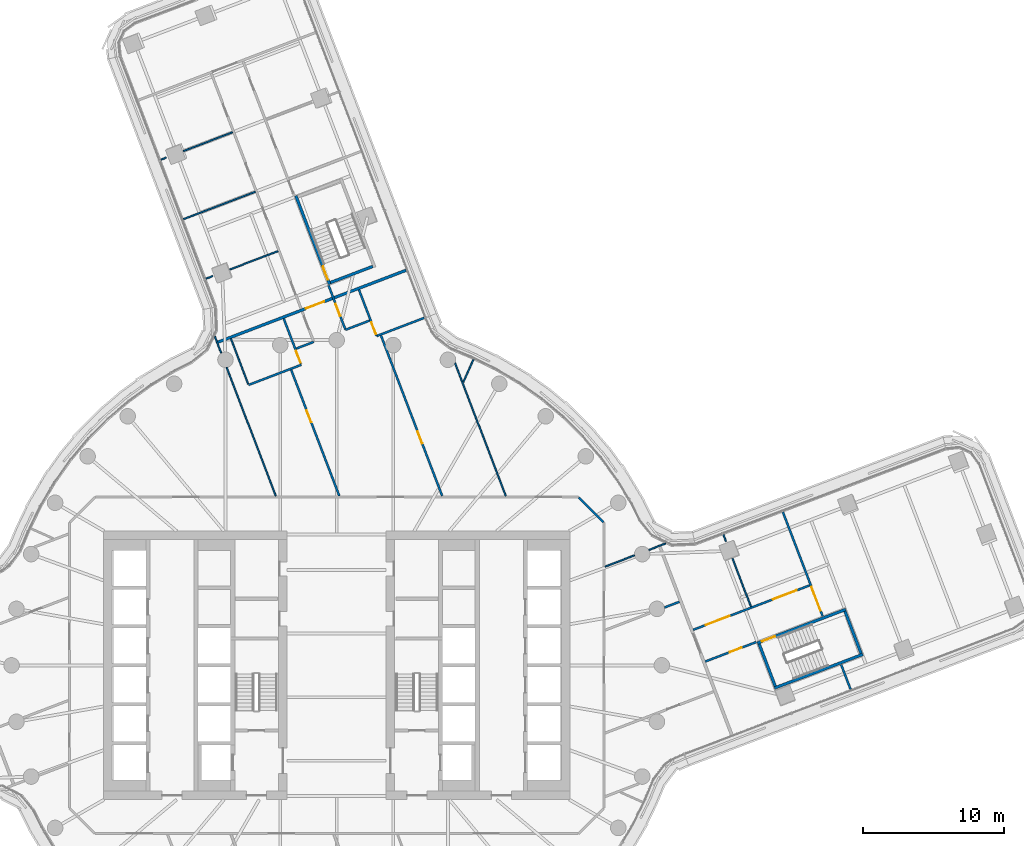
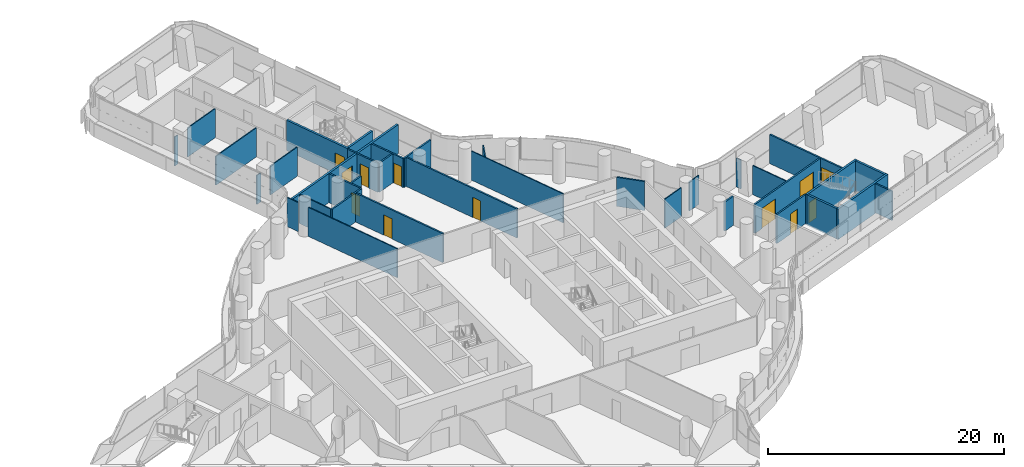
# One storey, part 23 of 32: 36 walls, 12 doors, 12 openings.
"""IFC4 building model written with IfcOpenShell, lengths in metres."""

from ifc_helpers import new_model, si_unit, direction, frame, frame_2d, origin, place, context, subcontext, project, spatial, polyline, rectangle, outline, extrude, material, layer, layer_set, type_object, element, fill, save


model = new_model("IFC4")

# Units and contexts
model_context = context("Model", 3, precision=1e-05, world=origin(), true_north=direction((0.0, 1.0)))
body_context = subcontext(model_context, "Body", "Model", "MODEL_VIEW")
ifc_project = project(units=[si_unit("LENGTHUNIT", "METRE"), si_unit("AREAUNIT", "SQUARE_METRE"), si_unit("VOLUMEUNIT", "CUBIC_METRE"), si_unit("PLANEANGLEUNIT", "RADIAN"), si_unit("MASSUNIT", "GRAM", prefix="KILO")], contexts=[model_context])

# Site, building, storey
site_placement = place(None, origin())
site = spatial("IfcSite", under=ifc_project, at=site_placement, CompositionType="ELEMENT")
building_placement = place(site_placement, origin())
building = spatial("IfcBuilding", under=site, at=building_placement, Name="Tamarind Cross Interchange Tower", CompositionType="ELEMENT")
storey_placement = place(building_placement, frame((0.0, 0.0, 109.75)))
storey = spatial("IfcBuildingStorey", under=building, at=storey_placement, Name="L26", CompositionType="ELEMENT", Elevation=109.75)

# Walls
ifc_material_1 = material(Name="Gypsum board partition on steel studs", Category="steel")
ifc_layer_1 = layer(ifc_material_1, 0.10009765625)
ifc_layer_set_1 = layer_set([ifc_layer_1], Name="Gypsum board partition on steel studs")
wall_type_1 = type_object("IfcWallType", Name="Partition 100 mm EI 90", PredefinedType="PARTITIONING", material=ifc_layer_set_1)
wall_1_placement = place(storey_placement, frame((-8.61865234375, 23.266845703125, 0.0), z_axis=(0.0, 0.0, 1.0), x_axis=(0.356610144775, -0.9342532872, 0.0)))
element("IfcWall", 1, at=wall_1_placement, inside=storey, type_object=wall_type_1, Name="Partition L26-009", PredefinedType="PARTITIONING", context=body_context, shape_type="SweptSolid", body=[
    extrude(rectangle(XDim=1.271240234375, YDim=0.10009765625, at=frame_2d((0.6357421875, 0.0))), origin(), (0.0, 0.0, 1.0), 3.010009765625),
])
wall_2_placement = place(storey_placement, frame((-7.781982421875, 21.07568359375, 0.0), z_axis=(0.0, 0.0, 1.0), x_axis=(0.356648672942, -0.934238579855, 0.0)))
element("IfcWall", 2, at=wall_2_placement, inside=storey, type_object=wall_type_1, Name="Partition L26-010", PredefinedType="PARTITIONING", context=body_context, shape_type="SweptSolid", body=[
    extrude(rectangle(XDim=9.74169921875, YDim=0.10009765625, at=frame_2d((4.870849609375, 0.0))), origin(), (0.0, 0.0, 1.0), 3.010009765625),
])
wall_3_placement = place(storey_placement, frame((-7.4853515625, 23.1025390625, 0.0), z_axis=(0.0, 0.0, 1.0), x_axis=(0.356656315739, -0.934235662156, 0.0)))
element("IfcWall", 3, at=wall_3_placement, inside=storey, type_object=wall_type_1, Name="Partition L26-011", PredefinedType="PARTITIONING", context=body_context, shape_type="SweptSolid", body=[
    extrude(rectangle(XDim=3.4248046875, YDim=0.10009765625, at=frame_2d((1.71240234375, 0.0))), origin(), (0.0, 0.0, 1.0), 3.010009765625),
])
wall_4_placement = place(storey_placement, frame((8.3671875, 21.39208984375, 0.0), z_axis=(0.0, 0.0, 1.0), x_axis=(0.356653909122, -0.934236580909, 0.0)))
element("IfcWall", 4, at=wall_4_placement, inside=storey, type_object=wall_type_1, Name="Partition L26-026", PredefinedType="PARTITIONING", context=body_context, shape_type="SweptSolid", body=[
    extrude(rectangle(XDim=10.080322265625, YDim=0.10009765625, at=frame_2d((5.0400390625, 0.0))), origin(), (0.0, 0.0, 1.0), 3.010009765625),
])
wall_5_placement = place(storey_placement, frame((27.35546875, 9.243896484375, 0.0), z_axis=(0.0, 0.0, 1.0), x_axis=(0.356678557675, -0.934227170711, 0.0)))
element("IfcWall", 5, at=wall_5_placement, inside=storey, type_object=wall_type_1, Name="Partition L26-028", PredefinedType="PARTITIONING", context=body_context, shape_type="SweptSolid", body=[
    extrude(rectangle(XDim=0.505126953125, YDim=0.10009765625, at=frame_2d((0.25244140625, 0.0))), origin(), (0.0, 0.0, 1.0), 3.010009765625),
])
wall_6_placement = place(storey_placement, frame((27.99951171875, 7.55615234375, 0.0), z_axis=(0.0, 0.0, 1.0), x_axis=(0.356630346692, -0.934245575755, 0.0)))
element("IfcWall", 6, at=wall_6_placement, inside=storey, type_object=wall_type_1, Name="Partition L26-029", PredefinedType="PARTITIONING", context=body_context, shape_type="SweptSolid", body=[
    extrude(rectangle(XDim=3.644775390625, YDim=0.10009765625, at=frame_2d((1.822265625, 0.0))), origin(), (0.0, 0.0, 1.0), 3.010009765625),
])
wall_7_placement = place(storey_placement, frame((-12.440673828125, 35.7685546875, 0.0), z_axis=(0.0, 0.0, 1.0), x_axis=(0.934326859624, 0.356417338783, 0.0)))
element("IfcWall", 7, at=wall_7_placement, inside=storey, type_object=wall_type_1, Name="Partition L26-048", PredefinedType="PARTITIONING", context=body_context, shape_type="SweptSolid", body=[
    extrude(rectangle(XDim=0.408935546875, YDim=0.10009765625, at=frame_2d((0.20458984375, 0.0))), origin(), (0.0, 0.0, 1.0), 3.010009765625),
])
wall_8_placement = place(storey_placement, frame((-10.843017578125, 36.37841796875, 0.0), z_axis=(0.0, 0.0, 1.0), x_axis=(0.934239425545, 0.356646457655, 0.0)))
element("IfcWall", 8, at=wall_8_placement, inside=storey, type_object=wall_type_1, Name="Partition L26-049", PredefinedType="PARTITIONING", context=body_context, shape_type="SweptSolid", body=[
    extrude(rectangle(XDim=3.72607421875, YDim=0.10009765625, at=frame_2d((1.863037109375, 0.0))), origin(), (0.0, 0.0, 1.0), 3.010009765625),
])
wall_9_placement = place(storey_placement, frame((-10.842041015625, 31.561279296875, 0.0), z_axis=(0.0, 0.0, 1.0), x_axis=(0.934215122636, 0.35671011289, 0.0)))
element("IfcWall", 9, at=wall_9_placement, inside=storey, type_object=wall_type_1, Name="Partition L26-052", PredefinedType="PARTITIONING", context=body_context, shape_type="SweptSolid", body=[
    extrude(rectangle(XDim=5.439208984375, YDim=0.10009765625, at=frame_2d((2.7197265625, 0.0))), origin(), (0.0, 0.0, 1.0), 3.010009765625),
])
wall_10_placement = place(storey_placement, frame((-9.243896484375, 27.35546875, 0.0), z_axis=(0.0, 0.0, 1.0), x_axis=(0.934227170711, 0.356678557675, 0.0)))
element("IfcWall", 10, at=wall_10_placement, inside=storey, type_object=wall_type_1, Name="Partition L26-054", PredefinedType="PARTITIONING", context=body_context, shape_type="SweptSolid", body=[
    extrude(rectangle(XDim=0.505126953125, YDim=0.10009765625, at=frame_2d((0.25244140625, 0.0))), origin(), (0.0, 0.0, 1.0), 3.010009765625),
])
wall_11_placement = place(storey_placement, frame((-7.55615234375, 27.99951171875, 0.0), z_axis=(0.0, 0.0, 1.0), x_axis=(0.934239924008, 0.356645151921, 0.0)))
element("IfcWall", 11, at=wall_11_placement, inside=storey, type_object=wall_type_1, Name="Partition L26-055", PredefinedType="PARTITIONING", context=body_context, shape_type="SweptSolid", body=[
    extrude(rectangle(XDim=3.6396484375, YDim=0.10009765625, at=frame_2d((1.81982421875, 0.0))), origin(), (0.0, 0.0, 1.0), 3.010009765625),
])
wall_12_placement = place(storey_placement, frame((18.974609375, 6.98046875, 0.0), z_axis=(0.0, 0.0, 1.0), x_axis=(0.934310454928, 0.356460339748, 0.0)))
element("IfcWall", 12, at=wall_12_placement, inside=storey, type_object=wall_type_1, Name="Partition L26-068", PredefinedType="PARTITIONING", context=body_context, shape_type="SweptSolid", body=[
    extrude(rectangle(XDim=2.24853515625, YDim=0.10009765625, at=frame_2d((1.124267578125, 0.0))), origin(), (0.0, 0.0, 1.0), 3.010009765625),
])
wall_13_placement = place(storey_placement, frame((22.079345703125, 8.1650390625, 0.0), z_axis=(0.0, 0.0, 1.0), x_axis=(0.9342532872, 0.356610144775, 0.0)))
element("IfcWall", 13, at=wall_13_placement, inside=storey, type_object=wall_type_1, Name="Partition L26-069", PredefinedType="PARTITIONING", context=body_context, shape_type="SweptSolid", body=[
    extrude(rectangle(XDim=1.271240234375, YDim=0.10009765625, at=frame_2d((0.6357421875, 0.0))), origin(), (0.0, 0.0, 1.0), 3.010009765625),
])
wall_14_placement = place(storey_placement, frame((8.962646484375, 20.036376953125, 0.0), z_axis=(0.0, 0.0, 1.0), x_axis=(0.408251922196, 0.912869305007, 0.0)))
element("IfcWall", 14, at=wall_14_placement, inside=storey, type_object=wall_type_1, Name="Partition L26-075", PredefinedType="PARTITIONING", context=body_context, shape_type="SweptSolid", body=[
    extrude(rectangle(XDim=1.7353515625, YDim=0.10009765625, at=frame_2d((0.86767578125, 0.0))), origin(), (0.0, 0.0, 1.0), 3.010009765625),
])

# Wall, opening, door
ifc_layer_2 = layer(ifc_material_1, 0.14990234375)
ifc_layer_set_2 = layer_set([ifc_layer_2], Name="Gypsum board partition on steel studs")
wall_type_2 = type_object("IfcWallType", Name="Partition 150 mm EI 120", PredefinedType="PARTITIONING", material=ifc_layer_set_2)
wall_15_placement = place(storey_placement, frame((-0.576171875, 26.87451171875, 0.0), z_axis=(0.0, 0.0, 1.0), x_axis=(0.356621516602, -0.934248946425, 0.0)))
wall_15 = element("IfcWall", 15, at=wall_15_placement, inside=storey, type_object=wall_type_2, Name="Partition L26-014", PredefinedType="PARTITIONING", context=body_context, shape_type="SweptSolid", body=[
    extrude(rectangle(XDim=3.33935546875, YDim=0.14990234375, at=frame_2d((1.669677734375, 0.0))), origin(), (0.0, 0.0, 1.0), 3.010009765625),
])
opening_1_placement = place(wall_15_placement, frame((1.409423828125, 0.0, 0.0)))
opening_1 = element("IfcOpeningElement", 16, at=opening_1_placement, cuts=wall_15, Name="Opening D12", PredefinedType="OPENING", context=body_context, shape_type="SweptSolid", body=[
    extrude(rectangle(XDim=0.89990234375, YDim=2.10009765625, at=frame_2d((0.449951171875, 1.050048828125))), frame((0.0, 0.0849609375, 0.0), z_axis=(0.0, -1.0, 0.0), x_axis=(1.0, 0.0, 0.0)), (0.0, 0.0, 1.0), 0.169921875),
])
ifc_material_2 = material(Name="Fire-resisting door set")
door_type_1 = type_object("IfcDoorType", Name="Interior door 900 x 2100 FD60S", OperationType="SINGLE_SWING_LEFT", PredefinedType="DOOR", material=ifc_material_2)
door_1_placement = place(opening_1_placement, origin())
door_1 = element("IfcDoor", 17, at=door_1_placement, inside=storey, type_object=door_type_1, Name="Door D12", OperationType="SINGLE_SWING_LEFT", OverallHeight=2.10009765625, OverallWidth=0.89990234375, PredefinedType="DOOR", context=body_context, shape_type="SweptSolid", body=[
    extrude(rectangle(XDim=0.89990234375, YDim=2.10009765625, at=frame_2d((0.449951171875, 1.050048828125))), frame((0.0, 0.02490234375, 0.0), z_axis=(0.0, -1.0, 0.0), x_axis=(1.0, 0.0, 0.0)), (0.0, 0.0, 1.0), 0.050048828125),
])
fill(opening_1, door_1)

wall_16_placement = place(storey_placement, frame((-3.748291015625, 24.529541015625, 0.0), z_axis=(0.0, 0.0, 1.0), x_axis=(0.356576979775, -0.934265945807, 0.0)))
wall_16 = element("IfcWall", 18, at=wall_16_placement, inside=storey, type_object=wall_type_2, Name="Partition L26-015", PredefinedType="PARTITIONING", context=body_context, shape_type="SweptSolid", body=[
    extrude(rectangle(XDim=3.420654296875, YDim=0.14990234375, at=frame_2d((1.71044921875, 0.0))), origin(), (0.0, 0.0, 1.0), 3.010009765625),
])
opening_2_placement = place(wall_16_placement, frame((2.449951171875, 0.0, 0.0)))
opening_2 = element("IfcOpeningElement", 19, at=opening_2_placement, cuts=wall_16, Name="Opening D13", PredefinedType="OPENING", context=body_context, shape_type="SweptSolid", body=[
    extrude(rectangle(XDim=0.89990234375, YDim=2.10009765625, at=frame_2d((0.449951171875, 1.050048828125))), frame((0.0, 0.0849609375, 0.0), z_axis=(0.0, -1.0, 0.0), x_axis=(1.0, 0.0, 0.0)), (0.0, 0.0, 1.0), 0.169921875),
])
door_2_placement = place(opening_2_placement, frame((0.89990234375, 0.0, 0.0), z_axis=(0.0, 0.0, 1.0), x_axis=(-1.0, 0.0, 0.0)))
door_2 = element("IfcDoor", 20, at=door_2_placement, inside=storey, type_object=door_type_1, Name="Door D13", OperationType="SINGLE_SWING_RIGHT", OverallHeight=2.10009765625, OverallWidth=0.89990234375, PredefinedType="DOOR", context=body_context, shape_type="SweptSolid", body=[
    extrude(rectangle(XDim=0.89990234375, YDim=2.10009765625, at=frame_2d((0.449951171875, 1.050048828125))), frame((0.0, 0.02490234375, 0.0), z_axis=(0.0, -1.0, 0.0), x_axis=(1.0, 0.0, 0.0)), (0.0, 0.0, 1.0), 0.050048828125),
])
fill(opening_2, door_2)

wall_17_placement = place(storey_placement, frame((-3.22119140625, 20.90380859375, 0.0), z_axis=(0.0, 0.0, 1.0), x_axis=(0.356729968612, -0.93420754091, 0.0)))
wall_17 = element("IfcWall", 21, at=wall_17_placement, inside=storey, type_object=wall_type_2, Name="Partition L26-016", PredefinedType="PARTITIONING", context=body_context, shape_type="SweptSolid", body=[
    extrude(rectangle(XDim=9.5478515625, YDim=0.14990234375, at=frame_2d((4.77392578125, 0.0))), origin(), (0.0, 0.0, 1.0), 3.010009765625),
])
opening_3_placement = place(wall_17_placement, frame((3.074951171875, 0.0, 0.0)))
opening_3 = element("IfcOpeningElement", 22, at=opening_3_placement, cuts=wall_17, Name="Opening D14", PredefinedType="OPENING", context=body_context, shape_type="SweptSolid", body=[
    extrude(rectangle(XDim=0.89990234375, YDim=2.10009765625, at=frame_2d((0.449951171875, 1.050048828125))), frame((0.0, 0.0849609375, 0.0), z_axis=(0.0, -1.0, 0.0), x_axis=(1.0, 0.0, 0.0)), (0.0, 0.0, 1.0), 0.169921875),
])
door_3_placement = place(opening_3_placement, frame((0.89990234375, 0.0, 0.0), z_axis=(0.0, 0.0, 1.0), x_axis=(-1.0, 0.0, 0.0)))
door_3 = element("IfcDoor", 23, at=door_3_placement, inside=storey, type_object=door_type_1, Name="Door D14", OperationType="SINGLE_SWING_LEFT", OverallHeight=2.10009765625, OverallWidth=0.89990234375, PredefinedType="DOOR", context=body_context, shape_type="SweptSolid", body=[
    extrude(rectangle(XDim=0.89990234375, YDim=2.10009765625, at=frame_2d((0.449951171875, 1.050048828125))), frame((0.0, 0.02490234375, 0.0), z_axis=(0.0, -1.0, 0.0), x_axis=(1.0, 0.0, 0.0)), (0.0, 0.0, 1.0), 0.050048828125),
])
fill(opening_3, door_3)

wall_18_placement = place(storey_placement, frame((1.57666015625, 26.5625, 0.0), z_axis=(0.0, 0.0, 1.0), x_axis=(0.356707132487, -0.934216260634, 0.0)))
wall_18 = element("IfcWall", 24, at=wall_18_placement, inside=storey, type_object=wall_type_2, Name="Partition L26-021", PredefinedType="PARTITIONING", context=body_context, shape_type="SweptSolid", body=[
    extrude(rectangle(XDim=3.479736328125, YDim=0.14990234375, at=frame_2d((1.73974609375, 0.0))), origin(), (0.0, 0.0, 1.0), 3.010009765625),
])
opening_4_placement = place(wall_18_placement, frame((2.44970703125, 0.0, 0.0)))
opening_4 = element("IfcOpeningElement", 25, at=opening_4_placement, cuts=wall_18, Name="Opening D17", PredefinedType="OPENING", context=body_context, shape_type="SweptSolid", body=[
    extrude(rectangle(XDim=0.89990234375, YDim=2.10009765625, at=frame_2d((0.449951171875, 1.050048828125))), frame((0.0, 0.0849609375, 0.0), z_axis=(0.0, -1.0, 0.0), x_axis=(1.0, 0.0, 0.0)), (0.0, 0.0, 1.0), 0.169921875),
])
door_4_placement = place(opening_4_placement, origin())
door_4 = element("IfcDoor", 26, at=door_4_placement, inside=storey, type_object=door_type_1, Name="Door D17", OperationType="SINGLE_SWING_LEFT", OverallHeight=2.10009765625, OverallWidth=0.89990234375, PredefinedType="DOOR", context=body_context, shape_type="SweptSolid", body=[
    extrude(rectangle(XDim=0.89990234375, YDim=2.10009765625, at=frame_2d((0.449951171875, 1.050048828125))), frame((0.0, 0.02490234375, 0.0), z_axis=(0.0, -1.0, 0.0), x_axis=(1.0, 0.0, 0.0)), (0.0, 0.0, 1.0), 0.050048828125),
])
fill(opening_4, door_4)

wall_19_placement = place(storey_placement, frame((3.133544921875, 23.3251953125, 0.0), z_axis=(0.0, 0.0, 1.0), x_axis=(0.356638375278, -0.934242510957, 0.0)))
wall_19 = element("IfcWall", 27, at=wall_19_placement, inside=storey, type_object=wall_type_2, Name="Partition L26-023", PredefinedType="PARTITIONING", context=body_context, shape_type="SweptSolid", body=[
    extrude(rectangle(XDim=12.139404296875, YDim=0.14990234375, at=frame_2d((6.06982421875, 0.0))), origin(), (0.0, 0.0, 1.0), 3.010009765625),
])
opening_5_placement = place(wall_19_placement, frame((7.27001953125, 0.0, 0.0)))
opening_5 = element("IfcOpeningElement", 28, at=opening_5_placement, cuts=wall_19, Name="Opening D20", PredefinedType="OPENING", context=body_context, shape_type="SweptSolid", body=[
    extrude(rectangle(XDim=0.89990234375, YDim=2.10009765625, at=frame_2d((0.449951171875, 1.050048828125))), frame((0.0, 0.0849609375, 0.0), z_axis=(0.0, -1.0, 0.0), x_axis=(1.0, 0.0, 0.0)), (0.0, 0.0, 1.0), 0.169921875),
])
door_5_placement = place(opening_5_placement, origin())
door_5 = element("IfcDoor", 29, at=door_5_placement, inside=storey, type_object=door_type_1, Name="Door D20", OperationType="SINGLE_SWING_LEFT", OverallHeight=2.10009765625, OverallWidth=0.89990234375, PredefinedType="DOOR", context=body_context, shape_type="SweptSolid", body=[
    extrude(rectangle(XDim=0.89990234375, YDim=2.10009765625, at=frame_2d((0.449951171875, 1.050048828125))), frame((0.0, 0.02490234375, 0.0), z_axis=(0.0, -1.0, 0.0), x_axis=(1.0, 0.0, 0.0)), (0.0, 0.0, 1.0), 0.050048828125),
])
fill(opening_5, door_5)

wall_20_placement = place(storey_placement, frame((31.561279296875, 10.842041015625, 0.0), z_axis=(0.0, 0.0, 1.0), x_axis=(0.356706482561, -0.934216508792, 0.0)))
wall_20 = element("IfcWall", 30, at=wall_20_placement, inside=storey, type_object=wall_type_2, Name="Partition L26-030", PredefinedType="PARTITIONING", context=body_context, shape_type="SweptSolid", body=[
    extrude(rectangle(XDim=7.879150390625, YDim=0.14990234375, at=frame_2d((3.939453125, 0.0))), origin(), (0.0, 0.0, 1.0), 3.010009765625),
])
opening_6_placement = place(wall_20_placement, frame((5.669189453125, 0.0, 0.0)))
opening_6 = element("IfcOpeningElement", 31, at=opening_6_placement, cuts=wall_20, Name="Opening D22", PredefinedType="OPENING", context=body_context, shape_type="SweptSolid", body=[
    extrude(rectangle(XDim=1.800048828125, YDim=2.10009765625, at=frame_2d((0.89990234375, 1.050048828125))), frame((0.0, 0.0849609375, 0.0), z_axis=(0.0, -1.0, 0.0), x_axis=(1.0, 0.0, 0.0)), (0.0, 0.0, 1.0), 0.169921875),
])
door_type_2 = type_object("IfcDoorType", Name="Interior door 1800 x 2100 FD60S", OperationType="DOUBLE_DOOR_SINGLE_SWING", PredefinedType="DOOR", material=ifc_material_2)
door_6_placement = place(opening_6_placement, origin())
door_6 = element("IfcDoor", 32, at=door_6_placement, inside=storey, type_object=door_type_2, Name="Door D22", OperationType="DOUBLE_DOOR_SINGLE_SWING", OverallHeight=2.10009765625, OverallWidth=1.800048828125, PredefinedType="DOOR", context=body_context, shape_type="SweptSolid", body=[
    extrude(rectangle(XDim=1.800048828125, YDim=2.10009765625, at=frame_2d((0.89990234375, 1.050048828125))), frame((0.0, 0.02490234375, 0.0), z_axis=(0.0, -1.0, 0.0), x_axis=(1.0, 0.0, 0.0)), (0.0, 0.0, 1.0), 0.050048828125),
])
fill(opening_6, door_6)

# Walls
wall_21_placement = place(storey_placement, frame((35.68408203125, 0.0439453125, 0.0), z_axis=(0.0, 0.0, 1.0), x_axis=(0.356743235924, -0.93420247464, 0.0)))
element("IfcWall", 33, at=wall_21_placement, inside=storey, type_object=wall_type_2, Name="Partition L26-031", PredefinedType="PARTITIONING", context=body_context, shape_type="SweptSolid", body=[
    extrude(rectangle(XDim=1.859375, YDim=0.14990234375, at=frame_2d((0.9296875, 0.0))), origin(), (0.0, 0.0, 1.0), 3.010009765625),
])
wall_22_placement = place(storey_placement, frame((17.12841796875, 11.87158203125, 0.0), z_axis=(0.0, 0.0, 1.0), x_axis=(0.707106781187, -0.707106781187, 0.0)))
element("IfcWall", 34, at=wall_22_placement, inside=storey, type_object=wall_type_2, Name="Partition L26-033", PredefinedType="PARTITIONING", context=body_context, shape_type="SweptSolid", body=[
    extrude(rectangle(XDim=2.465087890625, YDim=0.14990234375, at=frame_2d((1.232421875, 0.0))), origin(), (0.0, 0.0, 1.0), 3.010009765625),
])
wall_23_placement = place(storey_placement, frame((-6.237060546875, 19.8330078125, 0.0), z_axis=(0.0, 0.0, 1.0), x_axis=(0.934240943203, 0.356642482107, 0.0)))
element("IfcWall", 35, at=wall_23_placement, inside=storey, type_object=wall_type_2, Name="Partition L26-057", PredefinedType="PARTITIONING", context=body_context, shape_type="SweptSolid", body=[
    extrude(rectangle(XDim=3.999755859375, YDim=0.14990234375, at=frame_2d((2.0, 0.0))), origin(), (0.0, 0.0, 1.0), 3.010009765625),
])
wall_24_placement = place(storey_placement, frame((2.8251953125, 23.29248046875, 0.0), z_axis=(0.0, 0.0, 1.0), x_axis=(0.93426400511, 0.356582064546, 0.0)))
element("IfcWall", 36, at=wall_24_placement, inside=storey, type_object=wall_type_2, Name="Partition L26-058", PredefinedType="PARTITIONING", context=body_context, shape_type="SweptSolid", body=[
    extrude(rectangle(XDim=3.5986328125, YDim=0.14990234375, at=frame_2d((1.79931640625, 0.0))), origin(), (0.0, 0.0, 1.0), 3.010009765625),
])
wall_25_placement = place(storey_placement, frame((-2.85791015625, 22.40771484375, 0.0), z_axis=(0.0, 0.0, 1.0), x_axis=(0.934329996668, 0.3564091151, 0.0)))
element("IfcWall", 37, at=wall_25_placement, inside=storey, type_object=wall_type_2, Name="Partition L26-060", PredefinedType="PARTITIONING", context=body_context, shape_type="SweptSolid", body=[
    extrude(rectangle(XDim=1.32470703125, YDim=0.14990234375, at=frame_2d((0.662353515625, 0.0))), origin(), (0.0, 0.0, 1.0), 3.010009765625),
])
wall_26_placement = place(storey_placement, frame((0.622314453125, 23.7353515625, 0.0), z_axis=(0.0, 0.0, 1.0), x_axis=(0.934290504137, 0.356512627939, 0.0)))
element("IfcWall", 38, at=wall_26_placement, inside=storey, type_object=wall_type_2, Name="Partition L26-061", PredefinedType="PARTITIONING", context=body_context, shape_type="SweptSolid", body=[
    extrude(rectangle(XDim=1.824951171875, YDim=0.14990234375, at=frame_2d((0.91259765625, 0.0))), origin(), (0.0, 0.0, 1.0), 3.010009765625),
])
wall_27_placement = place(storey_placement, frame((23.184326171875, 4.091796875, 0.0), z_axis=(0.0, 0.0, 1.0), x_axis=(0.934197512786, 0.356756229243, 0.0)))
element("IfcWall", 39, at=wall_27_placement, inside=storey, type_object=wall_type_2, Name="Partition L26-067", PredefinedType="PARTITIONING", context=body_context, shape_type="SweptSolid", body=[
    extrude(rectangle(XDim=1.134033203125, YDim=0.14990234375, at=frame_2d((0.56689453125, 0.0))), origin(), (0.0, 0.0, 1.0), 3.010009765625),
])

# Wall, openings, doors
wall_28_placement = place(storey_placement, frame((25.22021484375, 2.513427734375, 0.0), z_axis=(0.0, 0.0, 1.0), x_axis=(0.934230964204, 0.356668621445, 0.0)))
wall_28 = element("IfcWall", 40, at=wall_28_placement, inside=storey, type_object=wall_type_2, Name="Partition L26-070", PredefinedType="PARTITIONING", context=body_context, shape_type="SweptSolid", body=[
    extrude(rectangle(XDim=8.81982421875, YDim=0.14990234375, at=frame_2d((4.409912109375, 0.0))), origin(), (0.0, 0.0, 1.0), 3.010009765625),
])
opening_7_placement = place(wall_28_placement, frame((6.044921875, 0.0, 0.0)))
opening_7 = element("IfcOpeningElement", 41, at=opening_7_placement, cuts=wall_28, Name="Opening D38", PredefinedType="OPENING", context=body_context, shape_type="SweptSolid", body=[
    extrude(rectangle(XDim=1.800048828125, YDim=2.10009765625, at=frame_2d((0.89990234375, 1.050048828125))), frame((0.0, 0.0849609375, 0.0), z_axis=(0.0, -1.0, 0.0), x_axis=(1.0, 0.0, 0.0)), (0.0, 0.0, 1.0), 0.169921875),
])
opening_8_placement = place(wall_28_placement, frame((0.945068359375, 0.0, 0.0)))
opening_8 = element("IfcOpeningElement", 42, at=opening_8_placement, cuts=wall_28, Name="Opening D39", PredefinedType="OPENING", context=body_context, shape_type="SweptSolid", body=[
    extrude(rectangle(XDim=1.800048828125, YDim=2.10009765625, at=frame_2d((0.89990234375, 1.050048828125))), frame((0.0, 0.0849609375, 0.0), z_axis=(0.0, -1.0, 0.0), x_axis=(1.0, 0.0, 0.0)), (0.0, 0.0, 1.0), 0.169921875),
])
door_7_placement = place(opening_7_placement, origin())
door_7 = element("IfcDoor", 43, at=door_7_placement, inside=storey, type_object=door_type_2, Name="Door D38", OperationType="DOUBLE_DOOR_SINGLE_SWING", OverallHeight=2.10009765625, OverallWidth=1.800048828125, PredefinedType="DOOR", context=body_context, shape_type="SweptSolid", body=[
    extrude(rectangle(XDim=1.800048828125, YDim=2.10009765625, at=frame_2d((0.89990234375, 1.050048828125))), frame((0.0, 0.02490234375, 0.0), z_axis=(0.0, -1.0, 0.0), x_axis=(1.0, 0.0, 0.0)), (0.0, 0.0, 1.0), 0.050048828125),
])
fill(opening_7, door_7)
door_8_placement = place(opening_8_placement, origin())
door_8 = element("IfcDoor", 44, at=door_8_placement, inside=storey, type_object=door_type_2, Name="Door D39", OperationType="DOUBLE_DOOR_SINGLE_SWING", OverallHeight=2.10009765625, OverallWidth=1.800048828125, PredefinedType="DOOR", context=body_context, shape_type="SweptSolid", body=[
    extrude(rectangle(XDim=1.800048828125, YDim=2.10009765625, at=frame_2d((0.89990234375, 1.050048828125))), frame((0.0, 0.02490234375, 0.0), z_axis=(0.0, -1.0, 0.0), x_axis=(1.0, 0.0, 0.0)), (0.0, 0.0, 1.0), 0.050048828125),
])
fill(opening_8, door_8)

# Wall, opening, door
wall_29_placement = place(storey_placement, frame((26.076171875, 0.271484375, 0.0), z_axis=(0.0, 0.0, 1.0), x_axis=(0.934214548652, 0.356711616136, 0.0)))
wall_29 = element("IfcWall", 45, at=wall_29_placement, inside=storey, type_object=wall_type_2, Name="Partition L26-071", PredefinedType="PARTITIONING", context=body_context, shape_type="SweptSolid", body=[
    extrude(rectangle(XDim=3.854736328125, YDim=0.14990234375, at=frame_2d((1.92724609375, 0.0))), origin(), (0.0, 0.0, 1.0), 3.010009765625),
])
opening_9_placement = place(wall_29_placement, frame((1.844970703125, 0.0, 0.0)))
opening_9 = element("IfcOpeningElement", 46, at=opening_9_placement, cuts=wall_29, Name="Opening D40", PredefinedType="OPENING", context=body_context, shape_type="SweptSolid", body=[
    extrude(rectangle(XDim=0.89990234375, YDim=2.10009765625, at=frame_2d((0.449951171875, 1.050048828125))), frame((0.0, 0.0849609375, 0.0), z_axis=(0.0, -1.0, 0.0), x_axis=(1.0, 0.0, 0.0)), (0.0, 0.0, 1.0), 0.169921875),
])
door_9_placement = place(opening_9_placement, frame((0.89990234375, 0.0, 0.0), z_axis=(0.0, 0.0, 1.0), x_axis=(-1.0, 0.0, 0.0)))
door_9 = element("IfcDoor", 47, at=door_9_placement, inside=storey, type_object=door_type_1, Name="Door D40", OperationType="SINGLE_SWING_RIGHT", OverallHeight=2.10009765625, OverallWidth=0.89990234375, PredefinedType="DOOR", context=body_context, shape_type="SweptSolid", body=[
    extrude(rectangle(XDim=0.89990234375, YDim=2.10009765625, at=frame_2d((0.449951171875, 1.050048828125))), frame((0.0, 0.02490234375, 0.0), z_axis=(0.0, -1.0, 0.0), x_axis=(1.0, 0.0, 0.0)), (0.0, 0.0, 1.0), 0.050048828125),
])
fill(opening_9, door_9)

ifc_layer_3 = layer(ifc_material_1, 0.199951171875)
ifc_layer_set_3 = layer_set([ifc_layer_3], Name="Gypsum board partition on steel studs")
wall_type_3 = type_object("IfcWallType", Name="Partition 200 mm EI 180", PredefinedType="PARTITIONING", material=ifc_layer_set_3)
wall_30_placement = place(storey_placement, frame((-8.408203125, 22.85693359375, 0.0), z_axis=(0.0, 0.0, 1.0), x_axis=(0.934093855928, 0.357027545601, 0.0)))
wall_30 = element("IfcWall", 48, at=wall_30_placement, inside=storey, type_object=wall_type_3, Name="Partition L26-056", PredefinedType="PARTITIONING", context=body_context, shape_type="SweptSolid", body=[
    extrude(rectangle(XDim=14.24853515625, YDim=0.199951171875, at=frame_2d((7.124267578125, 0.0))), origin(), (0.0, 0.0, 1.0), 3.010009765625),
])
opening_10_placement = place(wall_30_placement, frame((6.64990234375, 0.0, 0.0)))
opening_10 = element("IfcOpeningElement", 49, at=opening_10_placement, cuts=wall_30, Name="Opening D34", PredefinedType="OPENING", context=body_context, shape_type="SweptSolid", body=[
    extrude(rectangle(XDim=1.39990234375, YDim=2.10009765625, at=frame_2d((0.699951171875, 1.050048828125))), frame((0.0, 0.10986328125, 0.0), z_axis=(0.0, -1.0, 0.0), x_axis=(1.0, 0.0, 0.0)), (0.0, 0.0, 1.0), 0.219970703125),
])
door_type_3 = type_object("IfcDoorType", Name="Interior door 1400 x 2100 FD120S", OperationType="DOUBLE_DOOR_SINGLE_SWING", PredefinedType="DOOR", material=ifc_material_2)
door_10_placement = place(opening_10_placement, frame((1.39990234375, 0.0, 0.0), z_axis=(0.0, 0.0, 1.0), x_axis=(-1.0, 0.0, 0.0)))
door_10 = element("IfcDoor", 50, at=door_10_placement, inside=storey, type_object=door_type_3, Name="Door D34", OperationType="DOUBLE_DOOR_SINGLE_SWING", OverallHeight=2.10009765625, OverallWidth=1.39990234375, PredefinedType="DOOR", context=body_context, shape_type="SweptSolid", body=[
    extrude(rectangle(XDim=1.39990234375, YDim=2.10009765625, at=frame_2d((0.699951171875, 1.050048828125))), frame((0.0, 0.02490234375, 0.0), z_axis=(0.0, -1.0, 0.0), x_axis=(1.0, 0.0, 0.0)), (0.0, 0.0, 1.0), 0.050048828125),
])
fill(opening_10, door_10)

ifc_material_3 = material(Name="Concrete C40", Category="concrete")
ifc_layer_4 = layer(ifc_material_3, 0.199951171875)
ifc_layer_set_4 = layer_set([ifc_layer_4], Name="Concrete C40")
wall_type_4 = type_object("IfcWallType", Name="Stair shaft wall 200 mm Concrete C40", PredefinedType="SHEAR", material=ifc_layer_set_4)
wall_31_placement = place(storey_placement, frame((29.750732421875, 1.5673828125, -0.139892578125), z_axis=(0.0, 0.0, 1.0), x_axis=(0.934219048511, 0.356699830949, 0.0)))
wall_31 = element("IfcWall", 51, at=wall_31_placement, inside=storey, type_object=wall_type_4, Name="Core wall CWL-L26-ST3-H", PredefinedType="SHEAR", context=body_context, shape_type="SweptSolid", body=[
    extrude(rectangle(XDim=6.699951171875, YDim=0.199951171875, at=frame_2d((3.35009765625, 0.0))), origin(), (0.0, 0.0, 1.0), 3.14990234375),
])
opening_11_placement = place(wall_31_placement, frame((0.35009765625, 0.0, 0.0)))
opening_11 = element("IfcOpeningElement", 52, at=opening_11_placement, cuts=wall_31, Name="Opening ST3L26", PredefinedType="OPENING", context=body_context, shape_type="SweptSolid", body=[
    extrude(rectangle(XDim=1.0, YDim=2.10009765625, at=frame_2d((0.5, 1.050048828125))), frame((0.0, 0.10986328125, 0.0), z_axis=(0.0, -1.0, 0.0), x_axis=(1.0, 0.0, 0.0)), (0.0, 0.0, 1.0), 0.219970703125),
])
ifc_material_4 = material(Name="Steel, fire-resisting", Category="steel")
door_type_4 = type_object("IfcDoorType", Name="Core fire door 1000 x 2100 FD90", OperationType="SINGLE_SWING_LEFT", PredefinedType="DOOR", material=ifc_material_4)
door_11_placement = place(opening_11_placement, origin())
door_11 = element("IfcDoor", 53, at=door_11_placement, inside=storey, type_object=door_type_4, Name="L26 stair door ST3", OperationType="SINGLE_SWING_LEFT", OverallHeight=2.10009765625, OverallWidth=1.0, PredefinedType="DOOR", context=body_context, shape_type="SweptSolid", body=[
    extrude(rectangle(XDim=1.0, YDim=2.10009765625, at=frame_2d((0.5, 1.050048828125))), frame((0.0, 0.02490234375, 0.0), z_axis=(0.0, -1.0, 0.0), x_axis=(1.0, 0.0, 0.0)), (0.0, 0.0, 1.0), 0.050048828125),
])
fill(opening_11, door_11)

# Walls
wall_32_placement = place(storey_placement, frame((30.96337890625, -1.60888671875, -0.139892578125), z_axis=(0.0, 0.0, 1.0), x_axis=(0.934219048511, 0.356699830949, 0.0)))
element("IfcWall", 54, at=wall_32_placement, inside=storey, type_object=wall_type_4, Name="Core wall CWL-L26-ST3-C", PredefinedType="SHEAR", context=body_context, shape_type="SweptSolid", body=[
    extrude(rectangle(XDim=6.699951171875, YDim=0.199951171875, at=frame_2d((3.35009765625, 0.0))), origin(), (0.0, 0.0, 1.0), 3.14990234375),
])
wall_33_placement = place(storey_placement, frame((31.02099609375, -1.479736328125, -0.139892578125), z_axis=(0.0, 0.0, 1.0), x_axis=(-0.356610760752, 0.934253052077, 0.0)))
element("IfcWall", 55, at=wall_33_placement, inside=storey, type_object=wall_type_4, Name="Core wall CWL-L26-ST3-CE", PredefinedType="SHEAR", context=body_context, shape_type="SweptSolid", body=[
    extrude(rectangle(XDim=3.199951171875, YDim=0.199951171875, at=frame_2d((1.60009765625, 0.0))), origin(), (0.0, 0.0, 1.0), 3.14990234375),
])
wall_34_placement = place(storey_placement, frame((0.0, 0.0, -0.139892578125)))
element("IfcWall", 56, at=wall_34_placement, inside=storey, type_object=wall_type_4, Name="Core wall CWL-L26-ST3-CF", PredefinedType="SHEAR", context=body_context, shape_type="SweptSolid", body=[
    extrude(outline(polyline([(37.000244140625, 0.802978515625), (37.18701171875, 0.874267578125), (36.045654296875, 3.86376953125), (35.85888671875, 3.79248046875), (37.000244140625, 0.802978515625)])), origin(), (0.0, 0.0, 1.0), 3.14990234375),
])

# Wall, opening, door
wall_35_placement = place(storey_placement, frame((-0.49755859375, 26.947998046875, -0.139892578125), z_axis=(0.0, 0.0, 1.0), x_axis=(-0.356668027774, 0.934231190854, 0.0)))
wall_35 = element("IfcWall", 57, at=wall_35_placement, inside=storey, type_object=wall_type_4, Name="Core wall CWL-L26-ST4-H", PredefinedType="SHEAR", context=body_context, shape_type="SweptSolid", body=[
    extrude(rectangle(XDim=6.699951171875, YDim=0.199951171875, at=frame_2d((3.35009765625, 0.0))), origin(), (0.0, 0.0, 1.0), 3.14990234375),
])
opening_12_placement = place(wall_35_placement, frame((0.35009765625, 0.0, 0.0)))
opening_12 = element("IfcOpeningElement", 58, at=opening_12_placement, cuts=wall_35, Name="Opening ST4L26", PredefinedType="OPENING", context=body_context, shape_type="SweptSolid", body=[
    extrude(rectangle(XDim=1.0, YDim=2.10009765625, at=frame_2d((0.5, 1.050048828125))), frame((0.0, 0.10986328125, 0.0), z_axis=(0.0, -1.0, 0.0), x_axis=(1.0, 0.0, 0.0)), (0.0, 0.0, 1.0), 0.219970703125),
])
door_12_placement = place(opening_12_placement, origin())
door_12 = element("IfcDoor", 59, at=door_12_placement, inside=storey, type_object=door_type_4, Name="L26 stair door ST4", OperationType="SINGLE_SWING_LEFT", OverallHeight=2.10009765625, OverallWidth=1.0, PredefinedType="DOOR", context=body_context, shape_type="SweptSolid", body=[
    extrude(rectangle(XDim=1.0, YDim=2.10009765625, at=frame_2d((0.5, 1.050048828125))), frame((0.0, 0.02490234375, 0.0), z_axis=(0.0, -1.0, 0.0), x_axis=(1.0, 0.0, 0.0)), (0.0, 0.0, 1.0), 0.050048828125),
])
fill(opening_12, door_12)

# Wall
wall_36_placement = place(storey_placement, frame((2.5498046875, 28.218505859375, -0.139892578125), z_axis=(0.0, 0.0, 1.0), x_axis=(-0.93422763103, -0.356677351986, 0.0)))
element("IfcWall", 60, at=wall_36_placement, inside=storey, type_object=wall_type_4, Name="Core wall CWL-L26-ST4-CE", PredefinedType="SHEAR", context=body_context, shape_type="SweptSolid", body=[
    extrude(rectangle(XDim=3.199951171875, YDim=0.199951171875, at=frame_2d((1.60009765625, 0.0))), origin(), (0.0, 0.0, 1.0), 3.14990234375),
])

save(model, "model.ifc")
